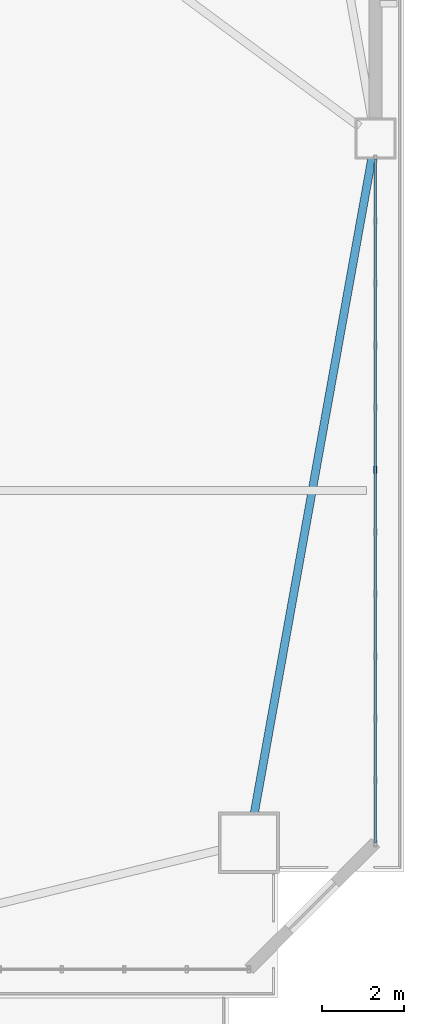
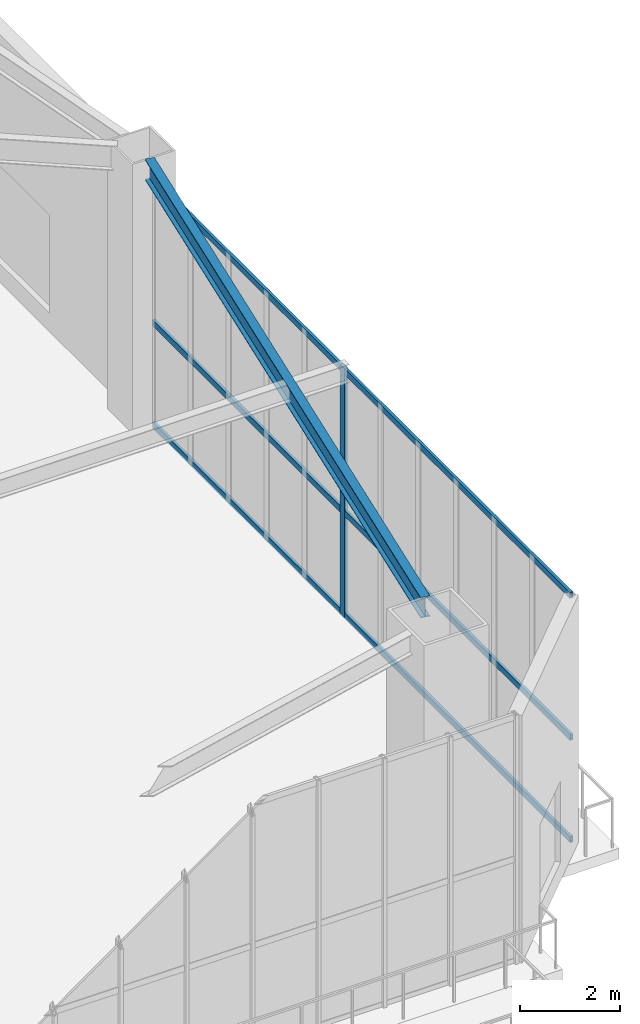
# One storey, part 9 of 22: 4 members, 1 beam, 1 element without a shape of its own.
"""IFC4 building model written with IfcOpenShell, lengths in metres."""

import ifcopenshell
import ifcopenshell.guid

model = None  # the IFC model being written
_history = None  # IfcOwnerHistory: only IFC2X3 demands one
_inside = {}  # id of a spatial element -> (the spatial element, [elements in it])
_under = {}  # id of a project, library or spatial element -> (it, [spatial elements below it])
_declared = {}  # id of a project -> (the project, [libraries it declares])
_typed = {}  # id of a type object -> (the type object, [elements of that type])
_made_of = {}  # id of a material, layer set ... -> (it, [elements and type objects made of it])


def new_model(schema):
    """Start an empty IFC model of exactly this schema.

    Asked for "IFC4X3", IfcOpenShell would pick the latest addendum, in which some entities
    have other attributes; the version numbers below select the first issue.
    IFC2X3 requires an IfcOwnerHistory on every rooted entity: one is made here for all.
    """
    global model, _history
    if schema == "IFC4X3":
        model = ifcopenshell.file(schema_version=(4, 3, 0, 0))
    else:
        model = ifcopenshell.file(schema=schema)
    _inside.clear()
    _under.clear()
    _declared.clear()
    _typed.clear()
    _made_of.clear()
    _history = None
    if model.schema == "IFC2X3":
        org = make("IfcOrganization", Name="unknown")
        user = make(
            "IfcPersonAndOrganization",
            ThePerson=make("IfcPerson", FamilyName="unknown"),
            TheOrganization=org,
        )
        app = make(
            "IfcApplication",
            ApplicationDeveloper=org,
            Version="unknown",
            ApplicationFullName="unknown",
            ApplicationIdentifier="unknown",
        )
        _history = make(
            "IfcOwnerHistory",
            OwningUser=user,
            OwningApplication=app,
            ChangeAction="ADDED",
            CreationDate=0,
        )
    return model


def make(cls, **values):
    """One entity of the class cls with the attributes given. An attribute that is None is left unset."""
    return model.create_entity(
        cls, **{name: value for name, value in values.items() if value is not None}
    )


def rooted(cls, **values):
    """An entity with a GlobalId (a new one), such as an element, a storey or a relation."""
    return make(cls, GlobalId=ifcopenshell.guid.new(), OwnerHistory=_history, **values)


def si_unit(unit_type, name, prefix=None):
    """IfcSIUnit, for example si_unit("LENGTHUNIT", "METRE", prefix="MILLI")."""
    return make("IfcSIUnit", UnitType=unit_type, Prefix=prefix, Name=name)


def assignment(units):
    """IfcUnitAssignment: the units of a project."""
    return None if units is None else make("IfcUnitAssignment", Units=units)


def point(xyz):
    """IfcCartesianPoint."""
    return None if xyz is None else make("IfcCartesianPoint", Coordinates=xyz)


def direction(xyz):
    """IfcDirection."""
    return None if xyz is None else make("IfcDirection", DirectionRatios=xyz)


def frame(location, z_axis=None, x_axis=None):
    """IfcAxis2Placement3D, a coordinate frame: its origin and axes. An axis left out is left unset."""
    return make(
        "IfcAxis2Placement3D",
        Location=point(location),
        Axis=direction(z_axis),
        RefDirection=direction(x_axis),
    )


def frame_2d(location, x_axis=None):
    """IfcAxis2Placement2D, a coordinate frame in the plane: its origin and x axis."""
    return make(
        "IfcAxis2Placement2D", Location=point(location), RefDirection=direction(x_axis)
    )


def origin():
    """The frame at (0, 0, 0) with its axes left unset."""
    return frame((0.0, 0.0, 0.0))


def origin_2d():
    """The frame at (0, 0) in the plane with its x axis left unset."""
    return frame_2d((0.0, 0.0))


def place(relative_to, where):
    """IfcLocalPlacement: puts the frame where relative to a parent placement (None: the world)."""
    return make(
        "IfcLocalPlacement", PlacementRelTo=relative_to, RelativePlacement=where
    )


def context(
    kind, dimensions, precision=None, world=None, true_north=None, identifier=None
):
    """IfcGeometricRepresentationContext, for example the 3D "Model" context."""
    return make(
        "IfcGeometricRepresentationContext",
        ContextIdentifier=identifier,
        ContextType=kind,
        CoordinateSpaceDimension=dimensions,
        Precision=precision,
        WorldCoordinateSystem=world,
        TrueNorth=true_north,
    )


def subcontext(parent, identifier, kind, view, scale=None):
    """IfcGeometricRepresentationSubContext, for example "Body" below "Model"."""
    return make(
        "IfcGeometricRepresentationSubContext",
        ContextIdentifier=identifier,
        ContextType=kind,
        ParentContext=parent,
        TargetScale=scale,
        TargetView=view,
    )


def project(units=None, contexts=None):
    """IfcProject with its units and contexts."""
    return rooted(
        "IfcProject",
        Name="project",
        RepresentationContexts=contexts,
        UnitsInContext=assignment(units),
    )


def spatial(cls, under=None, at=None, **own):
    """A site, building, storey or space (cls), placed at a placement, below another one or the project."""
    s = rooted(cls, ObjectPlacement=at, **own)
    if under is not None:
        _under.setdefault(under.id(), (under, []))[1].append(s)
    return s


def profile(cls, at=None, kind="AREA", **sizes):
    """A parametric profile (cls). Its sizes go by their IFC names, for example OverallWidth=200.0."""
    return make(cls, ProfileType=kind, Position=at, **sizes)


def hollow_rectangle(**sizes):
    """IfcRectangleHollowProfileDef."""
    return profile("IfcRectangleHollowProfileDef", **sizes)


def i_section(**sizes):
    """IfcIShapeProfileDef."""
    return profile("IfcIShapeProfileDef", **sizes)


def extrude(swept, where, along, depth):
    """IfcExtrudedAreaSolid: the profile swept, set in the frame where, extruded along a direction by depth."""
    return make(
        "IfcExtrudedAreaSolid",
        SweptArea=swept,
        Position=where,
        ExtrudedDirection=direction(along),
        Depth=depth,
    )


def shape(context_of_items, identifier, shape_type, items):
    """IfcShapeRepresentation: the items that make up one representation, for example the "Body"."""
    return make(
        "IfcShapeRepresentation",
        ContextOfItems=context_of_items,
        RepresentationIdentifier=identifier,
        RepresentationType=shape_type,
        Items=items,
    )


def source(mapping_origin, context_of_items, identifier, shape_type, items):
    """IfcRepresentationMap: a shape defined once, which mapped items show again and again."""
    return make(
        "IfcRepresentationMap",
        MappingOrigin=mapping_origin,
        MappedRepresentation=shape(context_of_items, identifier, shape_type, items),
    )


def transform(
    local_origin,
    x_axis=None,
    y_axis=None,
    z_axis=None,
    scale=None,
    scale2=None,
    scale3=None,
    uniform=True,
):
    """IfcCartesianTransformationOperator3D, or its non-uniform kind. x_axis, y_axis, z_axis: its Axis1, 2, 3."""
    if uniform:
        return make(
            "IfcCartesianTransformationOperator3D",
            Axis1=direction(x_axis),
            Axis2=direction(y_axis),
            LocalOrigin=point(local_origin),
            Scale=scale,
            Axis3=direction(z_axis),
        )
    return make(
        "IfcCartesianTransformationOperator3DnonUniform",
        Axis1=direction(x_axis),
        Axis2=direction(y_axis),
        LocalOrigin=point(local_origin),
        Scale=scale,
        Axis3=direction(z_axis),
        Scale2=scale2,
        Scale3=scale3,
    )


def mapped(mapping_source, mapping_target):
    """IfcMappedItem: shows the shape of a source again, moved by a transform."""
    return make(
        "IfcMappedItem", MappingSource=mapping_source, MappingTarget=mapping_target
    )


def material(Name=None, Category=None):
    """IfcMaterial."""
    return make("IfcMaterial", Name=Name, Category=Category)


def layer(
    of_material, thickness, ventilated=None, Name=None, Category=None, Priority=None
):
    """IfcMaterialLayer: one layer of a wall or slab, of a material (None: an air gap)."""
    return make(
        "IfcMaterialLayer",
        Material=of_material,
        LayerThickness=thickness,
        IsVentilated=ventilated,
        Name=Name,
        Category=Category,
        Priority=Priority,
    )


def layer_set(layers, Name=None):
    """IfcMaterialLayerSet."""
    return make("IfcMaterialLayerSet", MaterialLayers=layers, LayerSetName=Name)


def material_profile(
    of_material, cross_section, Name=None, Category=None, Priority=None
):
    """IfcMaterialProfile: a cross section and its material."""
    return make(
        "IfcMaterialProfile",
        Name=Name,
        Material=of_material,
        Profile=cross_section,
        Priority=Priority,
        Category=Category,
    )


def profile_set(profiles, Name=None, composite=None):
    """IfcMaterialProfileSet."""
    return make(
        "IfcMaterialProfileSet",
        Name=Name,
        MaterialProfiles=profiles,
        CompositeProfile=composite,
    )


def made_of(thing, what):
    """Note that an element or type object is made of a material, layer set ...; save() writes the relation."""
    if what is not None:
        _made_of.setdefault(what.id(), (what, []))[1].append(thing)
    return thing


def type_object(cls, material=None, **own):
    """A type object (cls), such as IfcWallType, which elements share."""
    return made_of(rooted(cls, **own), material)


def element(
    cls,
    number,
    at=None,
    inside=None,
    cuts=None,
    type_object=None,
    material=None,
    context=None,
    identifier="Body",
    shape_type=None,
    held_by="IfcProductDefinitionShape",
    body=None,
    shapes=None,
    **own,
):
    """One element of the class cls, such as IfcWall. Its Tag is "e" and its number.

    at: its placement. inside: the storey or other place that contains it. cuts: it is an
    opening in that element (IfcRelVoidsElement). A single representation is given by context,
    identifier, shape_type and body (its items); several are given by shapes. held_by: the class
    of the entity that holds the representations. save() writes the other relations.
    """
    e = rooted(cls, Tag="e%d" % number, ObjectPlacement=at, **own)
    if body is not None:
        shapes = [shape(context, identifier, shape_type, body)]
    if shapes is not None:
        e.Representation = make(held_by, Representations=shapes)
    if inside is not None:
        _inside.setdefault(inside.id(), (inside, []))[1].append(e)
    if cuts is not None:
        rooted(
            "IfcRelVoidsElement", RelatingBuildingElement=cuts, RelatedOpeningElement=e
        )
    if type_object is not None:
        _typed.setdefault(type_object.id(), (type_object, []))[1].append(e)
    return made_of(e, material)


def aggregate(whole, parts):
    """IfcRelAggregates: a whole, such as a stair, and the parts it consists of."""
    return rooted("IfcRelAggregates", RelatingObject=whole, RelatedObjects=parts)


def save(model, path):
    """Write the relations noted so far, then the file.

    IfcRelAggregates (storeys below a building ...), IfcRelContainedInSpatialStructure (elements
    in a storey), IfcRelDefinesByType, IfcRelAssociatesMaterial and IfcRelDeclares: one each for
    every whole, place, type object, material and project.
    """
    for whole, parts in _under.values():
        aggregate(whole, parts)
    for where, things in _inside.values():
        rooted(
            "IfcRelContainedInSpatialStructure",
            RelatedElements=things,
            RelatingStructure=where,
        )
    for kind, things in _typed.values():
        rooted("IfcRelDefinesByType", RelatedObjects=things, RelatingType=kind)
    for what, things in _made_of.values():
        rooted("IfcRelAssociatesMaterial", RelatedObjects=things, RelatingMaterial=what)
    for by, libraries in _declared.values():
        rooted("IfcRelDeclares", RelatingContext=by, RelatedDefinitions=libraries)
    model.write(path)


model = new_model("IFC4")

# Units and contexts
model_context = context("Model", 3, precision=1e-05, world=origin(), true_north=direction((0.0, 1.0)))
body_context = subcontext(model_context, "Body", "Model", "MODEL_VIEW")
ifc_project = project(units=[si_unit("LENGTHUNIT", "METRE"), si_unit("AREAUNIT", "SQUARE_METRE"), si_unit("VOLUMEUNIT", "CUBIC_METRE"), si_unit("PLANEANGLEUNIT", "RADIAN"), si_unit("MASSUNIT", "GRAM", prefix="KILO")], contexts=[model_context])

# Site, building, storey
site_placement = place(None, origin())
site = spatial("IfcSite", under=ifc_project, at=site_placement, CompositionType="ELEMENT")
building_placement = place(site_placement, origin())
building = spatial("IfcBuilding", under=site, at=building_placement, Name="Giltprow Tower", CompositionType="ELEMENT")
storey_placement = place(building_placement, frame((0.0, 0.0, 72.800048828125)))
storey = spatial("IfcBuildingStorey", under=building, at=storey_placement, Name="L18", CompositionType="ELEMENT", Elevation=72.800048828125)

# Beam
ifc_material_1 = material(Name="Structural steel Q355B", Category="steel")
ifc_material_profile_1 = material_profile(ifc_material_1, i_section(OverallWidth=0.199951171875, OverallDepth=0.5, WebThickness=0.010009765625, FlangeThickness=0.01611328125, at=origin_2d()), Name="HN 500x200x10x16")
ifc_profile_set_1 = profile_set([ifc_material_profile_1], Name="Structural steel Q355B")
beam_type = type_object("IfcBeamType", Name="BM-SPAN-HN500", PredefinedType="SPANDREL", material=ifc_profile_set_1)
shared_shape_1 = source(origin(), body_context, "Body", "SweptSolid", [
    extrude(i_section(OverallWidth=0.199951171875, OverallDepth=0.5, WebThickness=0.010009765625, FlangeThickness=0.01611328125, at=origin_2d()), origin(), (0.0, 0.0, 1.0), 16.306396484375),
])
beam_placement = place(storey_placement, frame((63.39501953125, 9.22802734375, 6.329833984375), z_axis=(0.176610878208, 0.984280751462, 0.0), x_axis=(-0.984280751462, 0.176610878208, 0.0)))
element("IfcBeam", 1, at=beam_placement, inside=storey, type_object=beam_type, Name="L18 Perimeter Spandrel Beam MC_SE-E_MID", PredefinedType="SPANDREL", context=body_context, shape_type="MappedRepresentation", body=[
    mapped(shared_shape_1, transform((0.0, 0.0, 0.0), x_axis=(1.0, 0.0, 0.0), y_axis=(0.0, 1.0, 0.0), z_axis=(0.0, 0.0, 1.0), scale=1.0)),
])

# Curtain wall, members
ifc_material_2 = material(Name="Anodized bronze", Category="metal")
ifc_layer = layer(ifc_material_2, 0.179931640625, Name="Anodized bronze")
ifc_layer_set = layer_set([ifc_layer], Name="Anodized bronze")
curtain_wall_type = type_object("IfcCurtainWallType", Name="CW-SKYGARDEN", PredefinedType="NOTDEFINED", material=ifc_layer_set)
curtain_wall_placement = place(storey_placement, origin())
curtain_wall = element("IfcCurtainWall", 2, at=curtain_wall_placement, inside=storey, type_object=curtain_wall_type, Name="L18 E Sky Garden Glazing", PredefinedType="NOTDEFINED")
ifc_material_profile_2 = material_profile(ifc_material_2, hollow_rectangle(XDim=0.074951171875, YDim=0.179931640625, WallThickness=0.008056640625, at=origin_2d()), Name="RHS 180x75x8")
ifc_profile_set_2 = profile_set([ifc_material_profile_2], Name="Anodized bronze")
member_type_1 = type_object("IfcMemberType", Name="CW-MULLION-180x75", PredefinedType="MULLION", material=ifc_profile_set_2)
shared_shape_2 = source(origin(), body_context, "Body", "SweptSolid", [
    extrude(hollow_rectangle(XDim=0.074951171875, YDim=0.179931640625, WallThickness=0.008056640625, at=origin_2d()), origin(), (0.0, 0.0, 1.0), 6.114990234375),
])
member_1_placement = place(storey_placement, frame((66.361083984375, 17.64111328125, -0.02001953125), z_axis=(0.0, 0.0, 1.0), x_axis=(1.0, 0.0, 0.0)))
member_1 = element("IfcMember", 3, at=member_1_placement, type_object=member_type_1, Name="L18 E Sky Garden Glazing Mullion 7", PredefinedType="MULLION", context=body_context, shape_type="MappedRepresentation", body=[
    mapped(shared_shape_2, transform((0.0, 0.0, 0.0), x_axis=(1.0, 0.0, 0.0), y_axis=(0.0, 1.0, 0.0), z_axis=(0.0, 0.0, 1.0), scale=1.0)),
])
ifc_material_profile_3 = material_profile(ifc_material_2, hollow_rectangle(XDim=0.06494140625, YDim=0.14990234375, WallThickness=0.006103515625, at=origin_2d()), Name="RHS 150x65x6")
ifc_profile_set_3 = profile_set([ifc_material_profile_3], Name="Anodized bronze")
member_type_2 = type_object("IfcMemberType", Name="CW-TRANSOM-150x65", PredefinedType="USERDEFINED", material=ifc_profile_set_3)
shared_shape_3 = source(origin(), body_context, "Body", "SweptSolid", [
    extrude(hollow_rectangle(XDim=0.06494140625, YDim=0.14990234375, WallThickness=0.006103515625, at=origin_2d()), origin(), (0.0, 0.0, 1.0), 16.75),
])
member_2_placement = place(storey_placement, frame((66.361083984375, 8.5048828125, 0.0400390625), z_axis=(0.0, 1.0, 0.0), x_axis=(-1.0, 0.0, 0.0)))
member_2 = element("IfcMember", 4, at=member_2_placement, type_object=member_type_2, Name="L18 E Sky Garden Glazing Transom 1", ObjectType="TRANSOM", PredefinedType="USERDEFINED", context=body_context, shape_type="MappedRepresentation", body=[
    mapped(shared_shape_3, transform((0.0, 0.0, 0.0), x_axis=(1.0, 0.0, 0.0), y_axis=(0.0, 1.0, 0.0), z_axis=(0.0, 0.0, 1.0), scale=1.0)),
])
member_3_placement = place(storey_placement, frame((66.361083984375, 8.5048828125, 2.544921875), z_axis=(0.0, 1.0, 0.0), x_axis=(-1.0, 0.0, 0.0)))
member_3 = element("IfcMember", 5, at=member_3_placement, type_object=member_type_2, Name="L18 E Sky Garden Glazing Transom 2", ObjectType="TRANSOM", PredefinedType="USERDEFINED", context=body_context, shape_type="MappedRepresentation", body=[
    mapped(shared_shape_3, transform((0.0, 0.0, 0.0), x_axis=(1.0, 0.0, 0.0), y_axis=(0.0, 1.0, 0.0), z_axis=(0.0, 0.0, 1.0), scale=1.0)),
])
member_4_placement = place(storey_placement, frame((66.361083984375, 8.5048828125, 6.02001953125), z_axis=(0.0, 1.0, 0.0), x_axis=(-1.0, 0.0, 0.0)))
member_4 = element("IfcMember", 6, at=member_4_placement, type_object=member_type_2, Name="L18 E Sky Garden Glazing Transom 3", ObjectType="TRANSOM", PredefinedType="USERDEFINED", context=body_context, shape_type="MappedRepresentation", body=[
    mapped(shared_shape_3, transform((0.0, 0.0, 0.0), x_axis=(1.0, 0.0, 0.0), y_axis=(0.0, 1.0, 0.0), z_axis=(0.0, 0.0, 1.0), scale=1.0)),
])
aggregate(curtain_wall, [member_1, member_2, member_3, member_4])

save(model, "model.ifc")
